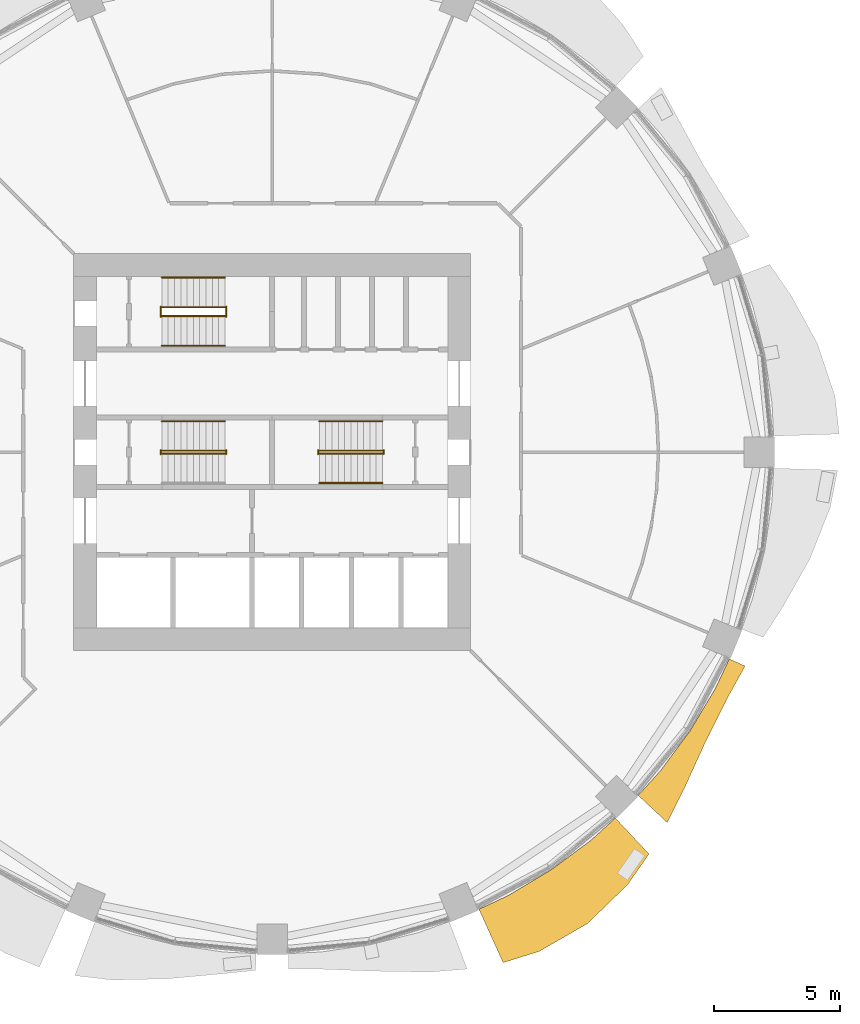
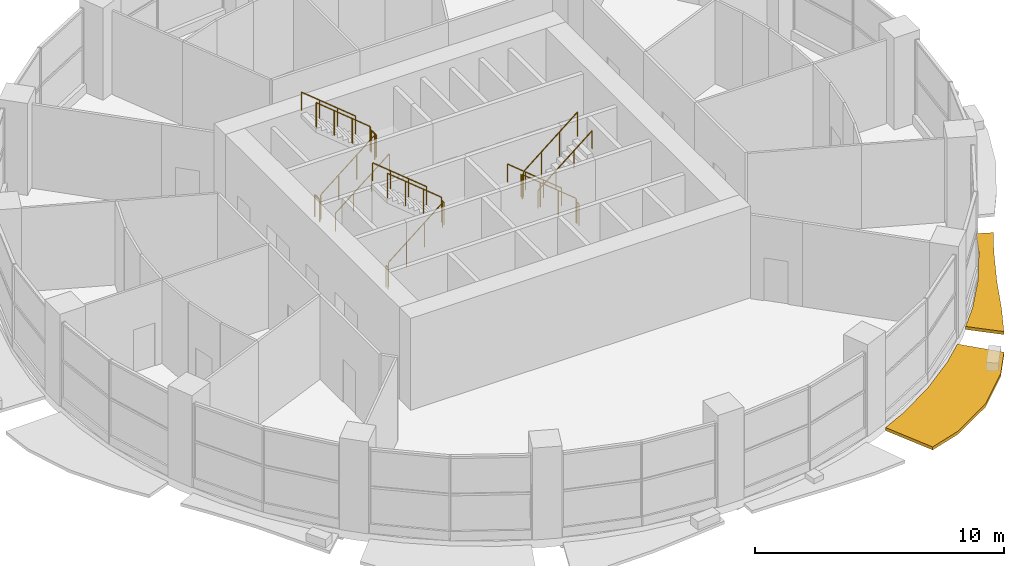
# One storey, part 12 of 14: 17 railings, 2 shading devices.
"""IFC4 building model written with IfcOpenShell, lengths in metres."""

from ifc_helpers import new_model, si_unit, direction, frame, origin, origin_2d, place, context, subcontext, project, spatial, polyline, circle, outline, extrude, material, type_object, element, save


model = new_model("IFC4")

# Units and contexts
model_context = context("Model", 3, precision=1e-05, world=origin(), true_north=direction((0.0, 1.0)))
body_context = subcontext(model_context, "Body", "Model", "MODEL_VIEW")
ifc_project = project(units=[si_unit("LENGTHUNIT", "METRE"), si_unit("AREAUNIT", "SQUARE_METRE"), si_unit("VOLUMEUNIT", "CUBIC_METRE"), si_unit("PLANEANGLEUNIT", "RADIAN"), si_unit("MASSUNIT", "GRAM", prefix="KILO")], contexts=[model_context])

# Site, building, storey
site_placement = place(None, origin())
site = spatial("IfcSite", under=ifc_project, at=site_placement, CompositionType="ELEMENT")
building_placement = place(site_placement, origin())
building = spatial("IfcBuilding", under=site, at=building_placement, Name="Polderwave Tower", CompositionType="ELEMENT")
storey_placement = place(building_placement, frame((0.0, 0.0, 9.89990234375)))
storey = spatial("IfcBuildingStorey", under=building, at=storey_placement, Name="L02", CompositionType="ELEMENT", Elevation=9.89990234375)

# Railings
ifc_material_1 = material(Name="Stainless steel", Category="steel")
railing_type_1 = type_object("IfcRailingType", Name="Stair guard 1100", PredefinedType="GUARDRAIL", material=ifc_material_1)
railing_1_placement = place(storey_placement, frame((-4.3740234375, -0.051025390625, 0.08447265625)))
element("IfcRailing", 1, at=railing_1_placement, inside=storey, type_object=railing_type_1, Name="L02 ST-A stair guard 1", PredefinedType="GUARDRAIL", context=body_context, shape_type="SweptSolid", body=[
    extrude(circle(Radius=0.02392578125, at=origin_2d()), frame((0.0, 0.0, 1.1962890625), z_axis=(0.773964034227, 0.0, 0.633229558472), x_axis=(0.0, 1.0, 0.0)), (0.0, 0.0, 1.0), 3.230224609375),
    extrude(circle(Radius=0.02392578125, at=origin_2d()), origin(), (0.0, 0.0, 1.0), 1.172119140625),
    extrude(circle(Radius=0.02392578125, at=origin_2d()), frame((0.833251953125, 0.0, 0.681884765625)), (0.0, 0.0, 1.0), 1.172119140625),
    extrude(circle(Radius=0.02392578125, at=origin_2d()), frame((1.666748046875, 0.0, 1.363525390625)), (0.0, 0.0, 1.0), 1.172119140625),
    extrude(circle(Radius=0.02392578125, at=origin_2d()), frame((2.5, 0.0, 2.04541015625)), (0.0, 0.0, 1.0), 1.172119140625),
])
railing_2_placement = place(storey_placement, frame((-1.823974609375, -0.074951171875, 2.25)))
element("IfcRailing", 2, at=railing_2_placement, inside=storey, type_object=railing_type_1, Name="L02 ST-A stair guard 2", PredefinedType="GUARDRAIL", context=body_context, shape_type="SweptSolid", body=[
    extrude(circle(Radius=0.02392578125, at=origin_2d()), frame((0.0, 0.0, 1.076171875), z_axis=(0.0, 1.0, 0.0), x_axis=(-1.0, 0.0, 0.0)), (0.0, 0.0, 1.0), 0.14990234375),
    extrude(circle(Radius=0.02099609375, at=origin_2d()), origin(), (0.0, 0.0, 1.0), 1.052001953125),
    extrude(circle(Radius=0.02099609375, at=origin_2d()), frame((0.0, 0.14990234375, 0.0)), (0.0, 0.0, 1.0), 1.052001953125),
])
railing_3_placement = place(storey_placement, frame((-1.8740234375, 0.051025390625, 2.33447265625)))
element("IfcRailing", 3, at=railing_3_placement, inside=storey, type_object=railing_type_1, Name="L02 ST-A stair guard 3", PredefinedType="GUARDRAIL", context=body_context, shape_type="SweptSolid", body=[
    extrude(circle(Radius=0.02392578125, at=origin_2d()), frame((0.0, 0.0, 1.1962890625), z_axis=(-0.773964034227, 0.0, 0.633229558472), x_axis=(0.0, -1.0, 0.0)), (0.0, 0.0, 1.0), 3.230224609375),
    extrude(circle(Radius=0.02392578125, at=origin_2d()), origin(), (0.0, 0.0, 1.0), 1.172119140625),
    extrude(circle(Radius=0.02392578125, at=origin_2d()), frame((-0.833251953125, 0.0, 0.681884765625)), (0.0, 0.0, 1.0), 1.172119140625),
    extrude(circle(Radius=0.02392578125, at=origin_2d()), frame((-1.666748046875, 0.0, 1.363525390625)), (0.0, 0.0, 1.0), 1.172119140625),
    extrude(circle(Radius=0.02392578125, at=origin_2d()), frame((-2.5, 0.0, 2.04541015625)), (0.0, 0.0, 1.0), 1.172119140625),
])
railing_4_placement = place(storey_placement, frame((-4.424072265625, -0.074951171875, 0.0)))
element("IfcRailing", 4, at=railing_4_placement, inside=storey, type_object=railing_type_1, Name="L02 ST-A stair guard 4", PredefinedType="GUARDRAIL", context=body_context, shape_type="SweptSolid", body=[
    extrude(circle(Radius=0.02392578125, at=origin_2d()), frame((0.0, 0.0, 1.076171875), z_axis=(0.0, 1.0, 0.0), x_axis=(-1.0, 0.0, 0.0)), (0.0, 0.0, 1.0), 0.14990234375),
    extrude(circle(Radius=0.02099609375, at=origin_2d()), origin(), (0.0, 0.0, 1.0), 1.052001953125),
    extrude(circle(Radius=0.02099609375, at=origin_2d()), frame((0.0, 0.14990234375, 0.0)), (0.0, 0.0, 1.0), 1.052001953125),
])
railing_5_placement = place(storey_placement, frame((4.3740234375, 0.051025390625, 0.08447265625)))
element("IfcRailing", 5, at=railing_5_placement, inside=storey, type_object=railing_type_1, Name="L02 ST-B stair guard 1", PredefinedType="GUARDRAIL", context=body_context, shape_type="SweptSolid", body=[
    extrude(circle(Radius=0.02392578125, at=origin_2d()), frame((0.0, 0.0, 1.1962890625), z_axis=(-0.773964034227, 0.0, 0.633229558472), x_axis=(0.0, -1.0, 0.0)), (0.0, 0.0, 1.0), 3.230224609375),
    extrude(circle(Radius=0.02392578125, at=origin_2d()), origin(), (0.0, 0.0, 1.0), 1.172119140625),
    extrude(circle(Radius=0.02392578125, at=origin_2d()), frame((-0.833251953125, 0.0, 0.681884765625)), (0.0, 0.0, 1.0), 1.172119140625),
    extrude(circle(Radius=0.02392578125, at=origin_2d()), frame((-1.666748046875, 0.0, 1.363525390625)), (0.0, 0.0, 1.0), 1.172119140625),
    extrude(circle(Radius=0.02392578125, at=origin_2d()), frame((-2.5, 0.0, 2.04541015625)), (0.0, 0.0, 1.0), 1.172119140625),
])
railing_6_placement = place(storey_placement, frame((1.823974609375, 0.074951171875, 2.25)))
element("IfcRailing", 6, at=railing_6_placement, inside=storey, type_object=railing_type_1, Name="L02 ST-B stair guard 2", PredefinedType="GUARDRAIL", context=body_context, shape_type="SweptSolid", body=[
    extrude(circle(Radius=0.02392578125, at=origin_2d()), frame((0.0, 0.0, 1.076171875), z_axis=(0.0, -1.0, 0.0), x_axis=(1.0, 0.0, 0.0)), (0.0, 0.0, 1.0), 0.14990234375),
    extrude(circle(Radius=0.02099609375, at=origin_2d()), origin(), (0.0, 0.0, 1.0), 1.052001953125),
    extrude(circle(Radius=0.02099609375, at=origin_2d()), frame((0.0, -0.14990234375, 0.0)), (0.0, 0.0, 1.0), 1.052001953125),
])
railing_7_placement = place(storey_placement, frame((1.8740234375, -0.051025390625, 2.33447265625)))
element("IfcRailing", 7, at=railing_7_placement, inside=storey, type_object=railing_type_1, Name="L02 ST-B stair guard 3", PredefinedType="GUARDRAIL", context=body_context, shape_type="SweptSolid", body=[
    extrude(circle(Radius=0.02392578125, at=origin_2d()), frame((0.0, 0.0, 1.1962890625), z_axis=(0.773964034227, 0.0, 0.633229558472), x_axis=(0.0, 1.0, 0.0)), (0.0, 0.0, 1.0), 3.230224609375),
    extrude(circle(Radius=0.02392578125, at=origin_2d()), origin(), (0.0, 0.0, 1.0), 1.172119140625),
    extrude(circle(Radius=0.02392578125, at=origin_2d()), frame((0.833251953125, 0.0, 0.681884765625)), (0.0, 0.0, 1.0), 1.172119140625),
    extrude(circle(Radius=0.02392578125, at=origin_2d()), frame((1.666748046875, 0.0, 1.363525390625)), (0.0, 0.0, 1.0), 1.172119140625),
    extrude(circle(Radius=0.02392578125, at=origin_2d()), frame((2.5, 0.0, 2.04541015625)), (0.0, 0.0, 1.0), 1.172119140625),
])
railing_8_placement = place(storey_placement, frame((4.424072265625, 0.074951171875, 0.0)))
element("IfcRailing", 8, at=railing_8_placement, inside=storey, type_object=railing_type_1, Name="L02 ST-B stair guard 4", PredefinedType="GUARDRAIL", context=body_context, shape_type="SweptSolid", body=[
    extrude(circle(Radius=0.02392578125, at=origin_2d()), frame((0.0, 0.0, 1.076171875), z_axis=(0.0, -1.0, 0.0), x_axis=(1.0, 0.0, 0.0)), (0.0, 0.0, 1.0), 0.14990234375),
    extrude(circle(Radius=0.02099609375, at=origin_2d()), origin(), (0.0, 0.0, 1.0), 1.052001953125),
    extrude(circle(Radius=0.02099609375, at=origin_2d()), frame((0.0, -0.14990234375, 0.0)), (0.0, 0.0, 1.0), 1.052001953125),
])
railing_9_placement = place(storey_placement, frame((-4.3740234375, 5.39794921875, 0.08447265625)))
element("IfcRailing", 9, at=railing_9_placement, inside=storey, type_object=railing_type_1, Name="L02 ST-C stair guard 1", PredefinedType="GUARDRAIL", context=body_context, shape_type="SweptSolid", body=[
    extrude(circle(Radius=0.02392578125, at=origin_2d()), frame((0.0, 0.0, 1.1962890625), z_axis=(0.773964034227, 0.0, 0.633229558472), x_axis=(0.0, 1.0, 0.0)), (0.0, 0.0, 1.0), 3.230224609375),
    extrude(circle(Radius=0.02392578125, at=origin_2d()), origin(), (0.0, 0.0, 1.0), 1.172119140625),
    extrude(circle(Radius=0.02392578125, at=origin_2d()), frame((0.833251953125, 0.0, 0.681884765625)), (0.0, 0.0, 1.0), 1.172119140625),
    extrude(circle(Radius=0.02392578125, at=origin_2d()), frame((1.666748046875, 0.0, 1.363525390625)), (0.0, 0.0, 1.0), 1.172119140625),
    extrude(circle(Radius=0.02392578125, at=origin_2d()), frame((2.5, 0.0, 2.04541015625)), (0.0, 0.0, 1.0), 1.172119140625),
])
railing_10_placement = place(storey_placement, frame((-1.823974609375, 5.3740234375, 2.25)))
element("IfcRailing", 10, at=railing_10_placement, inside=storey, type_object=railing_type_1, Name="L02 ST-C stair guard 2", PredefinedType="GUARDRAIL", context=body_context, shape_type="SweptSolid", body=[
    extrude(circle(Radius=0.02392578125, at=origin_2d()), frame((0.0, 0.0, 1.076171875), z_axis=(0.0, 1.0, 0.0), x_axis=(-1.0, 0.0, 0.0)), (0.0, 0.0, 1.0), 0.39990234375),
    extrude(circle(Radius=0.02099609375, at=origin_2d()), origin(), (0.0, 0.0, 1.0), 1.052001953125),
    extrude(circle(Radius=0.02099609375, at=origin_2d()), frame((0.0, 0.39990234375, 0.0)), (0.0, 0.0, 1.0), 1.052001953125),
])
railing_11_placement = place(storey_placement, frame((-1.8740234375, 5.75, 2.33447265625)))
element("IfcRailing", 11, at=railing_11_placement, inside=storey, type_object=railing_type_1, Name="L02 ST-C stair guard 3", PredefinedType="GUARDRAIL", context=body_context, shape_type="SweptSolid", body=[
    extrude(circle(Radius=0.02392578125, at=origin_2d()), frame((0.0, 0.0, 1.1962890625), z_axis=(-0.773964034227, 0.0, 0.633229558472), x_axis=(0.0, -1.0, 0.0)), (0.0, 0.0, 1.0), 3.230224609375),
    extrude(circle(Radius=0.02392578125, at=origin_2d()), origin(), (0.0, 0.0, 1.0), 1.172119140625),
    extrude(circle(Radius=0.02392578125, at=origin_2d()), frame((-0.833251953125, 0.0, 0.681884765625)), (0.0, 0.0, 1.0), 1.172119140625),
    extrude(circle(Radius=0.02392578125, at=origin_2d()), frame((-1.666748046875, 0.0, 1.363525390625)), (0.0, 0.0, 1.0), 1.172119140625),
    extrude(circle(Radius=0.02392578125, at=origin_2d()), frame((-2.5, 0.0, 2.04541015625)), (0.0, 0.0, 1.0), 1.172119140625),
])
railing_12_placement = place(storey_placement, frame((-4.424072265625, 5.3740234375, 0.0)))
element("IfcRailing", 12, at=railing_12_placement, inside=storey, type_object=railing_type_1, Name="L02 ST-C stair guard 4", PredefinedType="GUARDRAIL", context=body_context, shape_type="SweptSolid", body=[
    extrude(circle(Radius=0.02392578125, at=origin_2d()), frame((0.0, 0.0, 1.076171875), z_axis=(0.0, 1.0, 0.0), x_axis=(-1.0, 0.0, 0.0)), (0.0, 0.0, 1.0), 0.39990234375),
    extrude(circle(Radius=0.02099609375, at=origin_2d()), origin(), (0.0, 0.0, 1.0), 1.052001953125),
    extrude(circle(Radius=0.02099609375, at=origin_2d()), frame((0.0, 0.39990234375, 0.0)), (0.0, 0.0, 1.0), 1.052001953125),
])
railing_type_2 = type_object("IfcRailingType", Name="Stair handrail 900", PredefinedType="HANDRAIL", material=ifc_material_1)
for number, where, name in (
    (13, (-1.8740234375, 1.22509765625, 2.45458984375), "L02 ST-A stair handrail 2"),
    (14, (4.3740234375, 1.22509765625, 0.20458984375), "L02 ST-B stair handrail 1"),
):
    element("IfcRailing", number, at=place(storey_placement, frame(where)), inside=storey, type_object=railing_type_2, Name=name, PredefinedType="HANDRAIL", context=body_context, shape_type="SweptSolid", body=[
        extrude(circle(Radius=0.02392578125, at=origin_2d()), frame((0.0, 0.0, 0.8759765625), z_axis=(-0.773964034227, 0.0, 0.633229558472), x_axis=(0.0, -1.0, 0.0)), (0.0, 0.0, 1.0), 3.230224609375),
        extrude(circle(Radius=0.02099609375, at=origin_2d()), origin(), (0.0, 0.0, 1.0), 0.851806640625),
        extrude(circle(Radius=0.02099609375, at=origin_2d()), frame((-0.833251953125, 0.0, 0.681884765625)), (0.0, 0.0, 1.0), 0.851806640625),
        extrude(circle(Radius=0.02099609375, at=origin_2d()), frame((-1.666748046875, 0.0, 1.363525390625)), (0.0, 0.0, 1.0), 0.851806640625),
        extrude(circle(Radius=0.02099609375, at=origin_2d()), frame((-2.5, 0.0, 2.04541015625)), (0.0, 0.0, 1.0), 0.851806640625),
    ])
for number, where, name in (
    (15, (1.8740234375, -1.22509765625, 2.45458984375), "L02 ST-B stair handrail 2"),
    (16, (-4.3740234375, 4.22412109375, 0.20458984375), "L02 ST-C stair handrail 1"),
):
    element("IfcRailing", number, at=place(storey_placement, frame(where)), inside=storey, type_object=railing_type_2, Name=name, PredefinedType="HANDRAIL", context=body_context, shape_type="SweptSolid", body=[
        extrude(circle(Radius=0.02392578125, at=origin_2d()), frame((0.0, 0.0, 0.8759765625), z_axis=(0.773964034227, 0.0, 0.633229558472), x_axis=(0.0, 1.0, 0.0)), (0.0, 0.0, 1.0), 3.230224609375),
        extrude(circle(Radius=0.02099609375, at=origin_2d()), origin(), (0.0, 0.0, 1.0), 0.851806640625),
        extrude(circle(Radius=0.02099609375, at=origin_2d()), frame((0.833251953125, 0.0, 0.681884765625)), (0.0, 0.0, 1.0), 0.851806640625),
        extrude(circle(Radius=0.02099609375, at=origin_2d()), frame((1.666748046875, 0.0, 1.363525390625)), (0.0, 0.0, 1.0), 0.851806640625),
        extrude(circle(Radius=0.02099609375, at=origin_2d()), frame((2.5, 0.0, 2.04541015625)), (0.0, 0.0, 1.0), 0.851806640625),
    ])
railing_13_placement = place(storey_placement, frame((-1.8740234375, 6.924072265625, 2.45458984375)))
element("IfcRailing", 17, at=railing_13_placement, inside=storey, type_object=railing_type_2, Name="L02 ST-C stair handrail 2", PredefinedType="HANDRAIL", context=body_context, shape_type="SweptSolid", body=[
    extrude(circle(Radius=0.02392578125, at=origin_2d()), frame((0.0, 0.0, 0.8759765625), z_axis=(-0.773964034227, 0.0, 0.633229558472), x_axis=(0.0, -1.0, 0.0)), (0.0, 0.0, 1.0), 3.230224609375),
    extrude(circle(Radius=0.02099609375, at=origin_2d()), origin(), (0.0, 0.0, 1.0), 0.851806640625),
    extrude(circle(Radius=0.02099609375, at=origin_2d()), frame((-0.833251953125, 0.0, 0.681884765625)), (0.0, 0.0, 1.0), 0.851806640625),
    extrude(circle(Radius=0.02099609375, at=origin_2d()), frame((-1.666748046875, 0.0, 1.363525390625)), (0.0, 0.0, 1.0), 0.851806640625),
    extrude(circle(Radius=0.02099609375, at=origin_2d()), frame((-2.5, 0.0, 2.04541015625)), (0.0, 0.0, 1.0), 0.851806640625),
])

# Shading devices
ifc_material_2 = material(Name="Terracotta", Category="masonry")
shading_device_type = type_object("IfcShadingDeviceType", Name="Terracotta sunshade band", PredefinedType="USERDEFINED", material=ifc_material_2)
shading_device_1_placement = place(storey_placement, frame((0.0, 0.0, -0.39990234375)))
element("IfcShadingDevice", 18, at=shading_device_1_placement, inside=storey, type_object=shading_device_type, Name="Sunshade band L02 14", ObjectType="SUNSHADE", PredefinedType="USERDEFINED", context=body_context, shape_type="SweptSolid", body=[
    extrude(outline(polyline([(8.199951171875, -18.130859375), (9.39013671875, -17.56787109375), (11.06689453125, -16.56298828125), (12.63720703125, -15.3984375), (13.61279296875, -14.51416015625), (14.94873046875, -15.938720703125), (14.088134765625, -17.16650390625), (12.49755859375, -18.703857421875), (10.584716796875, -19.802734375), (9.15771484375, -20.248046875), (8.199951171875, -18.130859375)])), origin(), (0.0, 0.0, 1.0), 0.14990234375),
])
shading_device_2_placement = place(storey_placement, frame((0.0, 0.0, -0.39990234375)))
element("IfcShadingDevice", 19, at=shading_device_2_placement, inside=storey, type_object=shading_device_type, Name="Sunshade band L02 15", ObjectType="SUNSHADE", PredefinedType="USERDEFINED", context=body_context, shape_type="SweptSolid", body=[
    extrude(outline(polyline([(14.51416015625, -13.61279296875), (15.3984375, -12.63720703125), (16.56298828125, -11.06689453125), (17.56787109375, -9.39013671875), (18.130859375, -8.199951171875), (18.75830078125, -8.48388671875), (18.097412109375, -9.673095703125), (17.189208984375, -11.485595703125), (16.319580078125, -13.393310546875), (15.663818359375, -14.69091796875), (14.51416015625, -13.61279296875)])), origin(), (0.0, 0.0, 1.0), 0.14990234375),
])

save(model, "model.ifc")
